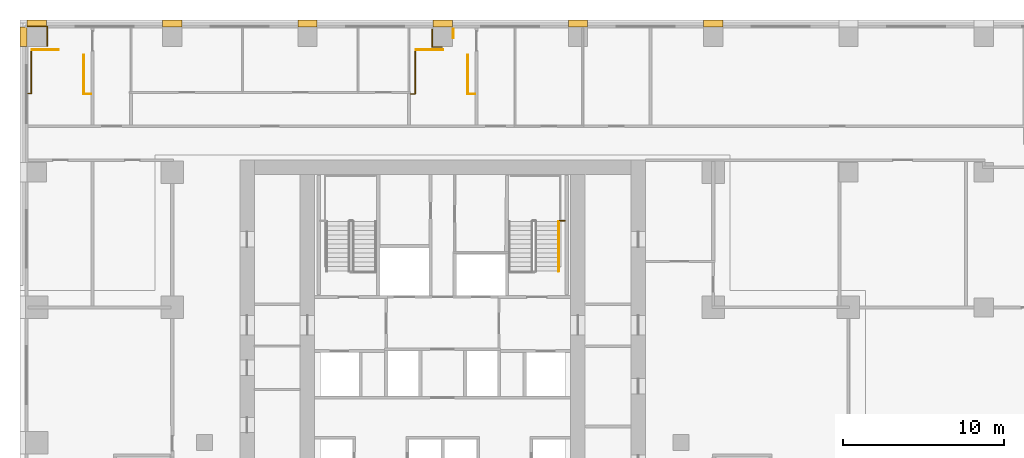
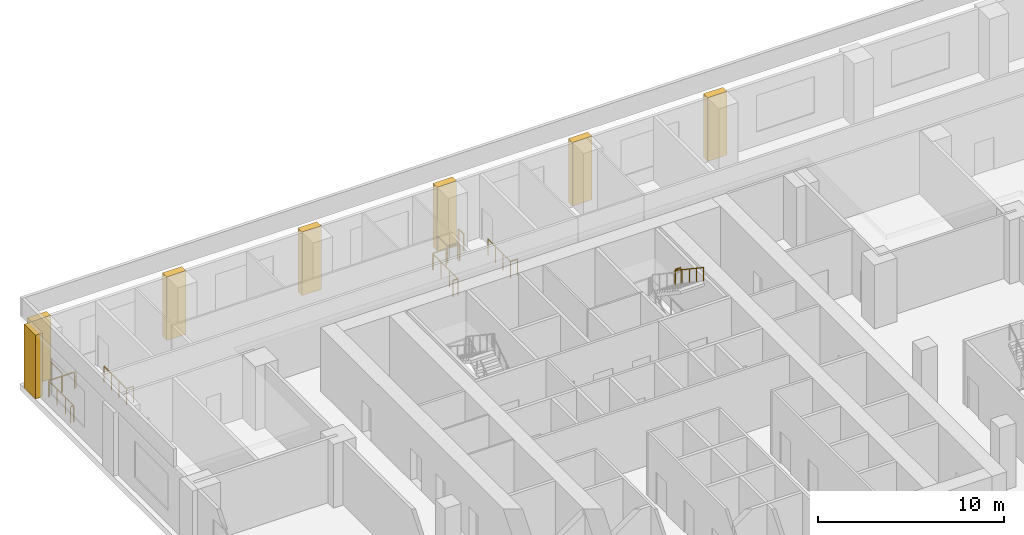
# One storey, part 15 of 16: 11 railings, 7 coverings.
"""IFC4 building model written with IfcOpenShell, lengths in metres."""

from ifc_helpers import new_model, si_unit, direction, frame, origin, origin_2d, place, context, subcontext, project, spatial, polyline, rectangle, outline, extrude, material, type_object, element, save


model = new_model("IFC4")

# Units and contexts
model_context = context("Model", 3, precision=1e-05, world=origin(), true_north=direction((0.0, 1.0)))
body_context = subcontext(model_context, "Body", "Model", "MODEL_VIEW")
ifc_project = project(units=[si_unit("LENGTHUNIT", "METRE"), si_unit("AREAUNIT", "SQUARE_METRE"), si_unit("VOLUMEUNIT", "CUBIC_METRE"), si_unit("PLANEANGLEUNIT", "RADIAN"), si_unit("MASSUNIT", "GRAM", prefix="KILO")], contexts=[model_context])

# Site, building, storey
site_placement = place(None, origin())
site = spatial("IfcSite", under=ifc_project, at=site_placement, CompositionType="ELEMENT")
building_placement = place(site_placement, origin())
building = spatial("IfcBuilding", under=site, at=building_placement, Name="Vermilion Ogive Tower", CompositionType="ELEMENT")
storey_placement = place(building_placement, frame((0.0, 0.0, 30.0)))
storey = spatial("IfcBuildingStorey", under=building, at=storey_placement, Name="L05", CompositionType="ELEMENT", Elevation=30.0)

# Railings
ifc_material_1 = material(Name="Steel S355 painted", Category="steel")
railing_type_1 = type_object("IfcRailingType", Name="Stair guard 1100", PredefinedType="GUARDRAIL", material=ifc_material_1)
for number, where, name in (
    (1, (-25.5, 28.60009765625, 0.0), "L05 PS1 top well guard 1"),
    (2, (-1.64990234375, 28.60009765625, 0.0), "L05 PS5 top well guard 1"),
):
    element("IfcRailing", number, at=place(storey_placement, frame(where)), inside=storey, type_object=railing_type_1, Name=name, PredefinedType="GUARDRAIL", context=body_context, shape_type="SweptSolid", body=[
        extrude(rectangle(XDim=0.048095703125, YDim=0.048095703125, at=origin_2d()), frame((0.0, 0.0, 1.076171875), z_axis=(1.0, 0.0, 0.0), x_axis=(0.0, 1.0, 0.0)), (0.0, 0.0, 1.0), 1.64990234375),
        extrude(rectangle(XDim=0.0419921875, YDim=0.0419921875, at=origin_2d()), origin(), (0.0, 0.0, 1.0), 1.052001953125),
        extrude(rectangle(XDim=0.0419921875, YDim=0.0419921875, at=origin_2d()), frame((0.824951171875, 0.0, 0.0)), (0.0, 0.0, 1.0), 1.052001953125),
        extrude(rectangle(XDim=0.0419921875, YDim=0.0419921875, at=origin_2d()), frame((1.64990234375, 0.0, 0.0)), (0.0, 0.0, 1.0), 1.052001953125),
    ])
railing_1_placement = place(storey_placement, frame((7.25, 17.97998046875, 2.25)))
element("IfcRailing", 3, at=railing_1_placement, inside=storey, type_object=railing_type_1, Name="L05 landing guard", PredefinedType="GUARDRAIL", context=body_context, shape_type="SweptSolid", body=[
    extrude(rectangle(XDim=0.048095703125, YDim=0.048095703125, at=origin_2d()), frame((0.0, 0.0, 1.076171875), z_axis=(1.0, 0.0, 0.0), x_axis=(0.0, 1.0, 0.0)), (0.0, 0.0, 1.0), 0.35009765625),
    extrude(rectangle(XDim=0.0419921875, YDim=0.0419921875, at=origin_2d()), origin(), (0.0, 0.0, 1.0), 1.052001953125),
    extrude(rectangle(XDim=0.0419921875, YDim=0.0419921875, at=origin_2d()), frame((0.35009765625, 0.0, 0.0)), (0.0, 0.0, 1.0), 1.052001953125),
])
railing_2_placement = place(storey_placement, frame((-25.739990234375, 25.88330078125, 0.0)))
element("IfcRailing", 4, at=railing_2_placement, inside=storey, type_object=railing_type_1, Name="L05 stair opening guard", PredefinedType="GUARDRAIL", context=body_context, shape_type="SweptSolid", body=[
    extrude(rectangle(XDim=0.048095703125, YDim=0.048095703125, at=origin_2d()), frame((0.0, 0.0, 1.076171875), z_axis=(1.0, 0.0, 0.0), x_axis=(0.0, 1.0, 0.0)), (0.0, 0.0, 1.0), 0.18994140625),
    extrude(rectangle(XDim=0.048095703125, YDim=0.048095703125, at=origin_2d()), frame((0.18994140625, 0.0, 1.076171875), z_axis=(0.0, 1.0, 0.0), x_axis=(-1.0, 0.0, 0.0)), (0.0, 0.0, 1.0), 2.699951171875),
    extrude(rectangle(XDim=0.048095703125, YDim=0.048095703125, at=origin_2d()), frame((0.18994140625, 2.699951171875, 1.076171875), z_axis=(1.0, 0.0, 0.0), x_axis=(0.0, 1.0, 0.0)), (0.0, 0.0, 1.0), 1.60009765625),
    extrude(rectangle(XDim=0.0419921875, YDim=0.0419921875, at=origin_2d()), origin(), (0.0, 0.0, 1.0), 1.052001953125),
    extrude(rectangle(XDim=0.0419921875, YDim=0.0419921875, at=origin_2d()), frame((0.18994140625, 0.0, 0.0)), (0.0, 0.0, 1.0), 1.052001953125),
    extrude(rectangle(XDim=0.0419921875, YDim=0.0419921875, at=origin_2d()), frame((0.18994140625, 0.89990234375, 0.0)), (0.0, 0.0, 1.0), 1.052001953125),
    extrude(rectangle(XDim=0.0419921875, YDim=0.0419921875, at=origin_2d()), frame((0.18994140625, 1.800048828125, 0.0)), (0.0, 0.0, 1.0), 1.052001953125),
    extrude(rectangle(XDim=0.0419921875, YDim=0.0419921875, at=origin_2d()), frame((0.18994140625, 2.699951171875, 0.0)), (0.0, 0.0, 1.0), 1.052001953125),
    extrude(rectangle(XDim=0.0419921875, YDim=0.0419921875, at=origin_2d()), frame((0.989990234375, 2.699951171875, 0.0)), (0.0, 0.0, 1.0), 1.052001953125),
    extrude(rectangle(XDim=0.0419921875, YDim=0.0419921875, at=origin_2d()), frame((1.7900390625, 2.699951171875, 0.0)), (0.0, 0.0, 1.0), 1.052001953125),
])
for number, where, name in (
    (5, (-22.291015625, 28.284912109375, 0.0), "L05 stair opening guard"),
    (6, (1.55908203125, 28.284912109375, 0.0), "L05 stair opening guard"),
):
    element("IfcRailing", number, at=place(storey_placement, frame(where)), inside=storey, type_object=railing_type_1, Name=name, PredefinedType="GUARDRAIL", context=body_context, shape_type="SweptSolid", body=[
        extrude(rectangle(XDim=0.048095703125, YDim=0.048095703125, at=origin_2d()), frame((0.0, 0.0, 1.076171875), z_axis=(0.0, -1.0, 0.0), x_axis=(1.0, 0.0, 0.0)), (0.0, 0.0, 1.0), 2.42431640625),
        extrude(rectangle(XDim=0.048095703125, YDim=0.048095703125, at=origin_2d()), frame((0.0, -2.42431640625, 1.076171875), z_axis=(1.0, 0.0, 0.0), x_axis=(0.0, 1.0, 0.0)), (0.0, 0.0, 1.0), 0.43994140625),
        extrude(rectangle(XDim=0.0419921875, YDim=0.0419921875, at=origin_2d()), origin(), (0.0, 0.0, 1.0), 1.052001953125),
        extrude(rectangle(XDim=0.0419921875, YDim=0.0419921875, at=origin_2d()), frame((0.0, -0.80810546875, 0.0)), (0.0, 0.0, 1.0), 1.052001953125),
        extrude(rectangle(XDim=0.0419921875, YDim=0.0419921875, at=origin_2d()), frame((0.0, -1.6162109375, 0.0)), (0.0, 0.0, 1.0), 1.052001953125),
        extrude(rectangle(XDim=0.0419921875, YDim=0.0419921875, at=origin_2d()), frame((0.0, -2.42431640625, 0.0)), (0.0, 0.0, 1.0), 1.052001953125),
        extrude(rectangle(XDim=0.0419921875, YDim=0.0419921875, at=origin_2d()), frame((0.43994140625, -2.42431640625, 0.0)), (0.0, 0.0, 1.0), 1.052001953125),
    ])
railing_3_placement = place(storey_placement, frame((-1.999755859375, 25.8564453125, 0.0)))
element("IfcRailing", 7, at=railing_3_placement, inside=storey, type_object=railing_type_1, Name="L05 stair opening guard", PredefinedType="GUARDRAIL", context=body_context, shape_type="SweptSolid", body=[
    extrude(rectangle(XDim=0.048095703125, YDim=0.048095703125, at=origin_2d()), frame((0.0, 0.0, 1.076171875), z_axis=(1.0, 0.0, 0.0), x_axis=(0.0, 1.0, 0.0)), (0.0, 0.0, 1.0), 0.2900390625),
    extrude(rectangle(XDim=0.048095703125, YDim=0.048095703125, at=origin_2d()), frame((0.2900390625, 0.0, 1.076171875), z_axis=(0.0, 1.0, 0.0), x_axis=(-1.0, 0.0, 0.0)), (0.0, 0.0, 1.0), 2.699951171875),
    extrude(rectangle(XDim=0.048095703125, YDim=0.048095703125, at=origin_2d()), frame((0.2900390625, 2.699951171875, 1.076171875), z_axis=(0.744048711529, 0.668125373618, 0.0), x_axis=(-0.668125373618, 0.744048711529, 0.0)), (0.0, 0.0, 1.0), 0.080322265625),
    extrude(rectangle(XDim=0.048095703125, YDim=0.048095703125, at=origin_2d()), frame((0.349853515625, 2.753662109375, 1.076171875), z_axis=(1.0, 0.0, 0.0), x_axis=(0.0, 1.0, 0.0)), (0.0, 0.0, 1.0), 1.599853515625),
    extrude(rectangle(XDim=0.0419921875, YDim=0.0419921875, at=origin_2d()), origin(), (0.0, 0.0, 1.0), 1.052001953125),
    extrude(rectangle(XDim=0.0419921875, YDim=0.0419921875, at=origin_2d()), frame((0.2900390625, 0.0, 0.0)), (0.0, 0.0, 1.0), 1.052001953125),
    extrude(rectangle(XDim=0.0419921875, YDim=0.0419921875, at=origin_2d()), frame((0.2900390625, 0.89990234375, 0.0)), (0.0, 0.0, 1.0), 1.052001953125),
    extrude(rectangle(XDim=0.0419921875, YDim=0.0419921875, at=origin_2d()), frame((0.2900390625, 1.800048828125, 0.0)), (0.0, 0.0, 1.0), 1.052001953125),
    extrude(rectangle(XDim=0.0419921875, YDim=0.0419921875, at=origin_2d()), frame((0.2900390625, 2.699951171875, 0.0)), (0.0, 0.0, 1.0), 1.052001953125),
    extrude(rectangle(XDim=0.0419921875, YDim=0.0419921875, at=origin_2d()), frame((0.349853515625, 2.753662109375, 0.0)), (0.0, 0.0, 1.0), 1.052001953125),
    extrude(rectangle(XDim=0.0419921875, YDim=0.0419921875, at=origin_2d()), frame((1.14990234375, 2.753662109375, 0.0)), (0.0, 0.0, 1.0), 1.052001953125),
    extrude(rectangle(XDim=0.0419921875, YDim=0.0419921875, at=origin_2d()), frame((1.94970703125, 2.753662109375, 0.0)), (0.0, 0.0, 1.0), 1.052001953125),
])
railing_4_placement = place(storey_placement, frame((-24.5576171875, 28.842529296875, 0.0)))
element("IfcRailing", 8, at=railing_4_placement, inside=storey, type_object=railing_type_1, Name="L05 stair opening guard", PredefinedType="GUARDRAIL", context=body_context, shape_type="SweptSolid", body=[
    extrude(rectangle(XDim=0.048095703125, YDim=0.048095703125, at=origin_2d()), frame((0.0, 0.0, 1.076171875), z_axis=(0.0, 1.0, 0.0), x_axis=(-1.0, 0.0, 0.0)), (0.0, 0.0, 1.0), 1.199951171875),
    extrude(rectangle(XDim=0.048095703125, YDim=0.048095703125, at=origin_2d()), frame((0.0, 1.199951171875, 1.076171875), z_axis=(-1.0, 0.0, 0.0), x_axis=(0.0, -1.0, 0.0)), (0.0, 0.0, 1.0), 1.199951171875),
    extrude(rectangle(XDim=0.0419921875, YDim=0.0419921875, at=origin_2d()), origin(), (0.0, 0.0, 1.0), 1.052001953125),
    extrude(rectangle(XDim=0.0419921875, YDim=0.0419921875, at=origin_2d()), frame((0.0, 1.199951171875, 0.0)), (0.0, 0.0, 1.0), 1.052001953125),
    extrude(rectangle(XDim=0.0419921875, YDim=0.0419921875, at=origin_2d()), frame((-1.199951171875, 1.199951171875, 0.0)), (0.0, 0.0, 1.0), 1.052001953125),
])
railing_5_placement = place(storey_placement, frame((0.66015625, 29.33544921875, 0.0)))
element("IfcRailing", 9, at=railing_5_placement, inside=storey, type_object=railing_type_1, Name="L05 stair opening guard", PredefinedType="GUARDRAIL", context=body_context, shape_type="SweptSolid", body=[
    extrude(rectangle(XDim=0.048095703125, YDim=0.048095703125, at=origin_2d()), frame((0.0, 0.0, 1.076171875), z_axis=(0.0, 1.0, 0.0), x_axis=(-1.0, 0.0, 0.0)), (0.0, 0.0, 1.0), 0.554443359375),
    extrude(rectangle(XDim=0.0419921875, YDim=0.0419921875, at=origin_2d()), origin(), (0.0, 0.0, 1.0), 1.052001953125),
    extrude(rectangle(XDim=0.0419921875, YDim=0.0419921875, at=origin_2d()), frame((0.0, 0.554443359375, 0.0)), (0.0, 0.0, 1.0), 1.052001953125),
])
railing_6_placement = place(storey_placement, frame((-0.65283203125, 29.861328125, 0.0)))
element("IfcRailing", 10, at=railing_6_placement, inside=storey, type_object=railing_type_1, Name="L05 stair opening guard", PredefinedType="GUARDRAIL", context=body_context, shape_type="SweptSolid", body=[
    extrude(rectangle(XDim=0.048095703125, YDim=0.048095703125, at=origin_2d()), frame((0.0, 0.0, 1.076171875), z_axis=(0.0, -1.0, 0.0), x_axis=(1.0, 0.0, 0.0)), (0.0, 0.0, 1.0), 1.08984375),
    extrude(rectangle(XDim=0.048095703125, YDim=0.048095703125, at=origin_2d()), frame((0.0, -1.08984375, 1.076171875), z_axis=(1.0, 0.0, 0.0), x_axis=(0.0, 1.0, 0.0)), (0.0, 0.0, 1.0), 0.5908203125),
    extrude(rectangle(XDim=0.0419921875, YDim=0.0419921875, at=origin_2d()), origin(), (0.0, 0.0, 1.0), 1.052001953125),
    extrude(rectangle(XDim=0.0419921875, YDim=0.0419921875, at=origin_2d()), frame((0.0, -1.08984375, 0.0)), (0.0, 0.0, 1.0), 1.052001953125),
    extrude(rectangle(XDim=0.0419921875, YDim=0.0419921875, at=origin_2d()), frame((0.5908203125, -1.08984375, 0.0)), (0.0, 0.0, 1.0), 1.052001953125),
])
ifc_material_2 = material(Name="Stainless steel", Category="steel")
railing_type_2 = type_object("IfcRailingType", Name="Stair handrail 900", PredefinedType="HANDRAIL", material=ifc_material_2)
railing_7_placement = place(storey_placement, frame((7.199951171875, 17.929931640625, 2.4375)))
element("IfcRailing", 11, at=railing_7_placement, inside=storey, type_object=railing_type_2, Name="L05 ST2 stair handrail 2", PredefinedType="HANDRAIL", context=body_context, shape_type="SweptSolid", body=[
    extrude(rectangle(XDim=0.048095703125, YDim=0.048095703125, at=origin_2d()), frame((0.0, 0.0, 0.8759765625), z_axis=(0.0, -0.830893310487, 0.556431762742), x_axis=(1.0, 0.0, 0.0)), (0.0, 0.0, 1.0), 3.70654296875),
    extrude(rectangle(XDim=0.0419921875, YDim=0.0419921875, at=origin_2d()), origin(), (0.0, 0.0, 1.0), 0.851806640625),
    extrude(rectangle(XDim=0.0419921875, YDim=0.0419921875, at=origin_2d()), frame((0.0, -0.77001953125, 0.515625)), (0.0, 0.0, 1.0), 0.851806640625),
    extrude(rectangle(XDim=0.0419921875, YDim=0.0419921875, at=origin_2d()), frame((0.0, -1.5400390625, 1.03125)), (0.0, 0.0, 1.0), 0.851806640625),
    extrude(rectangle(XDim=0.0419921875, YDim=0.0419921875, at=origin_2d()), frame((0.0, -2.309814453125, 1.546875)), (0.0, 0.0, 1.0), 0.851806640625),
    extrude(rectangle(XDim=0.0419921875, YDim=0.0419921875, at=origin_2d()), frame((0.0, -3.079833984375, 2.0625)), (0.0, 0.0, 1.0), 0.851806640625),
])

# Coverings
ifc_material_3 = material(Name="Stone cladding", Category="masonry")
covering_type = type_object("IfcCoveringType", Name="Stone pier", PredefinedType="CLADDING", material=ifc_material_3)
covering_1_placement = place(storey_placement, origin())
element("IfcCovering", 12, at=covering_1_placement, inside=storey, type_object=covering_type, Name="Stone pier P+000+294", PredefinedType="CLADDING", context=body_context, shape_type="SweptSolid", body=[
    extrude(outline(polyline([(-0.60009765625, 30.0), (-0.60009765625, 30.0), (-0.60009765625, 30.449951171875), (0.60009765625, 30.449951171875), (0.60009765625, 30.0), (0.60009765625, 30.0), (-0.60009765625, 30.0)])), origin(), (0.0, 0.0, 1.0), 4.179931640625),
])
covering_2_placement = place(storey_placement, origin())
element("IfcCovering", 13, at=covering_2_placement, inside=storey, type_object=covering_type, Name="Stone pier P+084+294", PredefinedType="CLADDING", context=body_context, shape_type="SweptSolid", body=[
    extrude(outline(polyline([(7.800048828125, 30.0), (7.800048828125, 30.449951171875), (9.0, 30.449951171875), (9.0, 30.0), (7.800048828125, 30.0), (7.800048828125, 30.0)])), origin(), (0.0, 0.0, 1.0), 4.179931640625),
])
covering_3_placement = place(storey_placement, origin())
element("IfcCovering", 14, at=covering_3_placement, inside=storey, type_object=covering_type, Name="Stone pier P+168+294", PredefinedType="CLADDING", context=body_context, shape_type="SweptSolid", body=[
    extrude(outline(polyline([(16.199951171875, 30.449951171875), (17.39990234375, 30.449951171875), (17.39990234375, 30.0), (16.199951171875, 30.0), (16.199951171875, 30.449951171875)])), origin(), (0.0, 0.0, 1.0), 4.179931640625),
])
covering_4_placement = place(storey_placement, origin())
element("IfcCovering", 15, at=covering_4_placement, inside=storey, type_object=covering_type, Name="Stone pier P-084+294", PredefinedType="CLADDING", context=body_context, shape_type="SweptSolid", body=[
    extrude(outline(polyline([(-9.0, 30.0), (-9.0, 30.449951171875), (-7.800048828125, 30.449951171875), (-7.800048828125, 30.0), (-7.800048828125, 30.0), (-9.0, 30.0)])), origin(), (0.0, 0.0, 1.0), 4.179931640625),
])
covering_5_placement = place(storey_placement, origin())
element("IfcCovering", 16, at=covering_5_placement, inside=storey, type_object=covering_type, Name="Stone pier P-168+294", PredefinedType="CLADDING", context=body_context, shape_type="SweptSolid", body=[
    extrude(outline(polyline([(-17.39990234375, 30.0), (-17.39990234375, 30.449951171875), (-16.199951171875, 30.449951171875), (-16.199951171875, 30.0), (-16.199951171875, 30.0), (-17.39990234375, 30.0)])), origin(), (0.0, 0.0, 1.0), 4.179931640625),
])
covering_6_placement = place(storey_placement, origin())
element("IfcCovering", 17, at=covering_6_placement, inside=storey, type_object=covering_type, Name="Stone pier P-252+294N", PredefinedType="CLADDING", context=body_context, shape_type="SweptSolid", body=[
    extrude(outline(polyline([(-25.800048828125, 30.449951171875), (-24.60009765625, 30.449951171875), (-24.60009765625, 30.0), (-25.800048828125, 30.0), (-25.800048828125, 30.449951171875)])), origin(), (0.0, 0.0, 1.0), 4.179931640625),
])
covering_7_placement = place(storey_placement, origin())
element("IfcCovering", 18, at=covering_7_placement, inside=storey, type_object=covering_type, Name="Stone pier P-252+294W", PredefinedType="CLADDING", context=body_context, shape_type="SweptSolid", body=[
    extrude(outline(polyline([(-26.25, 30.0), (-25.800048828125, 30.0), (-25.800048828125, 28.800048828125), (-26.25, 28.800048828125), (-26.25, 30.0)])), origin(), (0.0, 0.0, 1.0), 4.179931640625),
])

save(model, "model.ifc")
